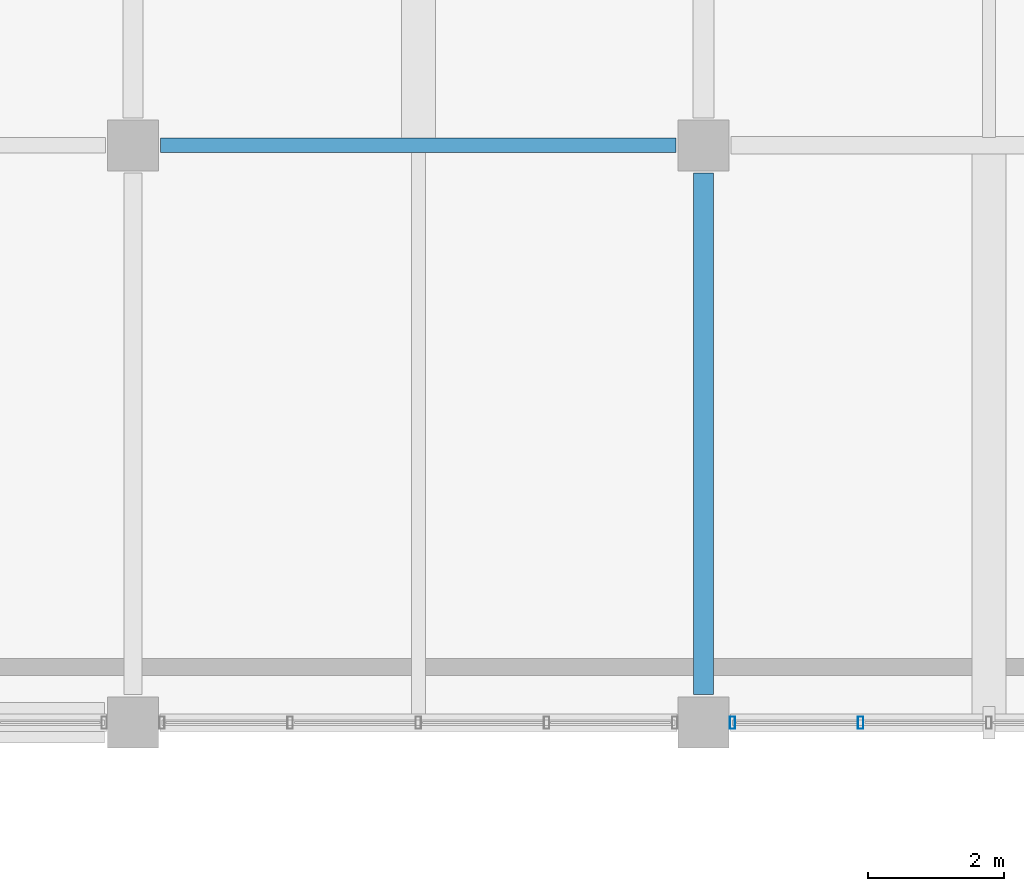
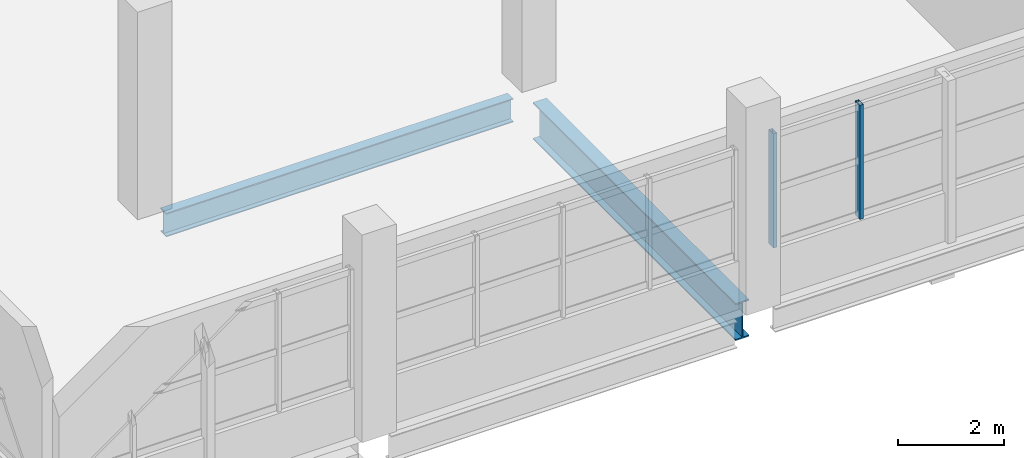
# One storey, part 32 of 117: 2 beams, 2 members, 1 element without a shape of its own.
"""IFC4 building model written with IfcOpenShell, lengths in metres."""

from ifc_helpers import new_model, si_unit, direction, frame, origin, origin_2d, place, context, subcontext, project, spatial, hollow_rectangle, i_section, extrude, material, material_profile, profile_set, type_object, element, aggregate, save


model = new_model("IFC4")

# Units and contexts
model_context = context("Model", 3, precision=1e-05, world=origin(), true_north=direction((0.0, 1.0)))
body_context = subcontext(model_context, "Body", "Model", "MODEL_VIEW")
ifc_project = project(units=[si_unit("LENGTHUNIT", "METRE"), si_unit("AREAUNIT", "SQUARE_METRE"), si_unit("VOLUMEUNIT", "CUBIC_METRE"), si_unit("PLANEANGLEUNIT", "RADIAN"), si_unit("MASSUNIT", "GRAM", prefix="KILO")], contexts=[model_context])

# Site, building, storey
site_placement = place(None, origin())
site = spatial("IfcSite", under=ifc_project, at=site_placement, CompositionType="ELEMENT")
building_placement = place(site_placement, origin())
building = spatial("IfcBuilding", under=site, at=building_placement, Name="Solvento Point Concert Hall", CompositionType="ELEMENT")
storey_placement = place(building_placement, frame((0.0, 0.0, 5.39990234375)))
storey = spatial("IfcBuildingStorey", under=building, at=storey_placement, Name="L01", CompositionType="ELEMENT", Elevation=5.39990234375)

# Beams
ifc_material_1 = material(Name="Structural Steel ASTM A992 Grade 50", Category="steel")
ifc_material_profile_1 = material_profile(ifc_material_1, i_section(OverallWidth=0.214111328125, OverallDepth=0.549072265625, WebThickness=0.0146484375, FlangeThickness=0.023681640625, at=origin_2d()), Name="W21X93")
ifc_profile_set_1 = profile_set([ifc_material_profile_1], Name="Structural Steel ASTM A992 Grade 50")
beam_type_1 = type_object("IfcBeamType", Name="Beam_W21X93", PredefinedType="BEAM", material=ifc_profile_set_1)
beam_1_placement = place(storey_placement, frame((7.60400390625, 110.5, -0.558349609375), z_axis=(1.0, 0.0, 0.0), x_axis=(0.0, 1.0, 0.0)))
element("IfcBeam", 1, at=beam_1_placement, inside=storey, type_object=beam_type_1, Name="Primary girder B-48 L01", PredefinedType="BEAM", context=body_context, shape_type="SweptSolid", body=[
    extrude(i_section(OverallWidth=0.214111328125, OverallDepth=0.549072265625, WebThickness=0.0146484375, FlangeThickness=0.023681640625, at=origin_2d()), origin(), (0.0, 0.0, 1.0), 7.592041015625),
])
ifc_material_2 = material(Name="Structural Steel ASTM A992 Grade 50", Category="steel")
ifc_material_profile_2 = material_profile(ifc_material_2, i_section(OverallWidth=0.2919921875, OverallDepth=0.85888671875, WebThickness=0.01708984375, FlangeThickness=0.031005859375, at=origin_2d()), Name="W33X169")
ifc_profile_set_2 = profile_set([ifc_material_profile_2], Name="Structural Steel ASTM A992 Grade 50")
beam_type_2 = type_object("IfcBeamType", Name="Girder_W33X169", PredefinedType="USERDEFINED", material=ifc_profile_set_2)
beam_2_placement = place(storey_placement, frame((15.60009765625, 102.4189453125, -0.71337890625), z_axis=(0.0, 1.0, 0.0), x_axis=(-1.0, 0.0, 0.0)))
element("IfcBeam", 2, at=beam_2_placement, inside=storey, type_object=beam_type_2, Name="Primary girder B-33 L01", ObjectType="GIRDER", PredefinedType="USERDEFINED", context=body_context, shape_type="SweptSolid", body=[
    extrude(i_section(OverallWidth=0.2919921875, OverallDepth=0.85888671875, WebThickness=0.01708984375, FlangeThickness=0.031005859375, at=origin_2d()), origin(), (0.0, 0.0, 1.0), 7.677001953125),
])

# Curtain wall, members
ifc_material_3 = material(Name="Anodized Bronze Aluminium", Category="aluminium")
curtain_wall_type = type_object("IfcCurtainWallType", Name="CurtainWall_CourtPilotis", PredefinedType="USERDEFINED", material=ifc_material_3)
curtain_wall_placement = place(storey_placement, origin())
curtain_wall = element("IfcCurtainWall", 3, at=curtain_wall_placement, inside=storey, type_object=curtain_wall_type, Name="Unitised curtain wall CW-96 UCW-L01-144", ObjectType="UNITISED CURTAIN WALL", PredefinedType="USERDEFINED")
ifc_material_4 = material(Name="Anodized Bronze Aluminium", Category="aluminium")
ifc_material_profile_3 = material_profile(ifc_material_4, hollow_rectangle(XDim=0.080078125, YDim=0.179931640625, WallThickness=0.00390625, at=origin_2d()), Name="CW-MUL-80X180")
ifc_profile_set_3 = profile_set([ifc_material_profile_3], Name="Anodized Bronze Aluminium")
member_type = type_object("IfcMemberType", Name="Mullion_80x180", PredefinedType="MULLION", material=ifc_profile_set_3)
member_1_placement = place(storey_placement, frame((16.02490234375, 102.0, 1.1201171875), z_axis=(0.0, 0.0, 1.0), x_axis=(1.0, 0.0, 0.0)))
member_1 = element("IfcMember", 4, at=member_1_placement, type_object=member_type, Name="Curtain wall mullion ML-01", PredefinedType="MULLION", context=body_context, shape_type="SweptSolid", body=[
    extrude(hollow_rectangle(XDim=0.080078125, YDim=0.179931640625, WallThickness=0.00390625, at=origin_2d()), origin(), (0.0, 0.0, 1.0), 2.640869140625),
])
member_2_placement = place(storey_placement, frame((17.91259765625, 102.0, 1.1201171875), z_axis=(0.0, 0.0, 1.0), x_axis=(1.0, 0.0, 0.0)))
member_2 = element("IfcMember", 5, at=member_2_placement, type_object=member_type, Name="Curtain wall mullion ML-01", PredefinedType="MULLION", context=body_context, shape_type="SweptSolid", body=[
    extrude(hollow_rectangle(XDim=0.080078125, YDim=0.179931640625, WallThickness=0.00390625, at=origin_2d()), origin(), (0.0, 0.0, 1.0), 2.640869140625),
])
aggregate(curtain_wall, [member_1, member_2])

save(model, "model.ifc")
